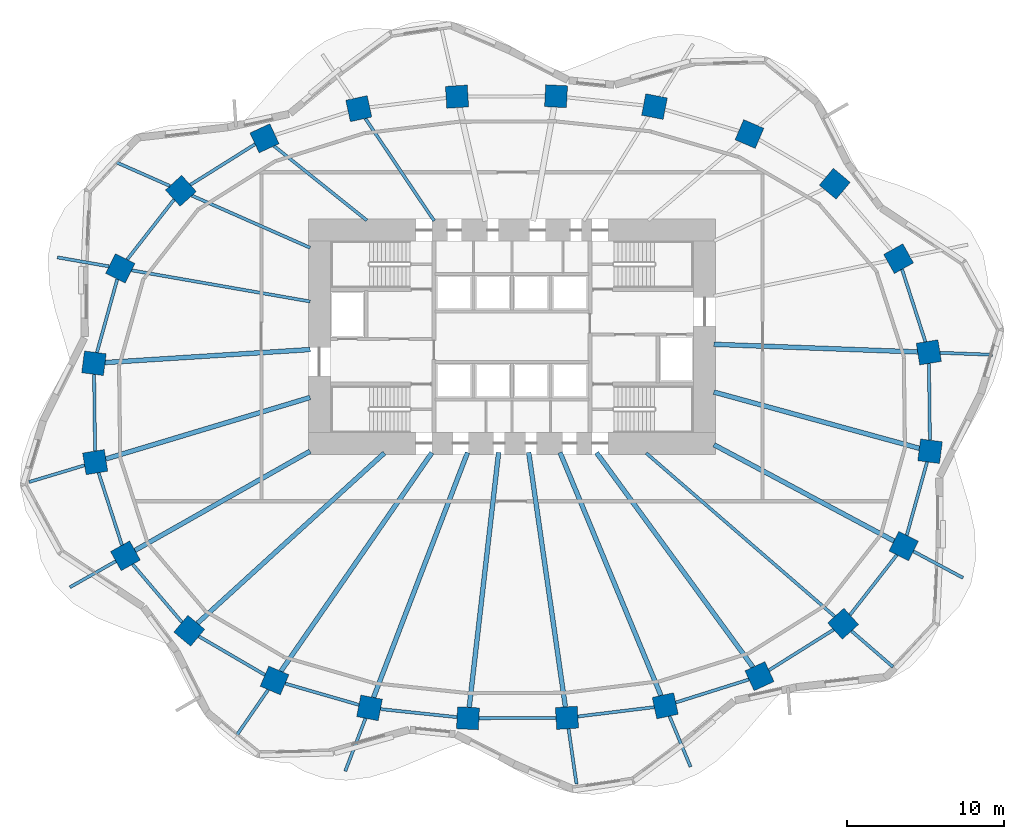
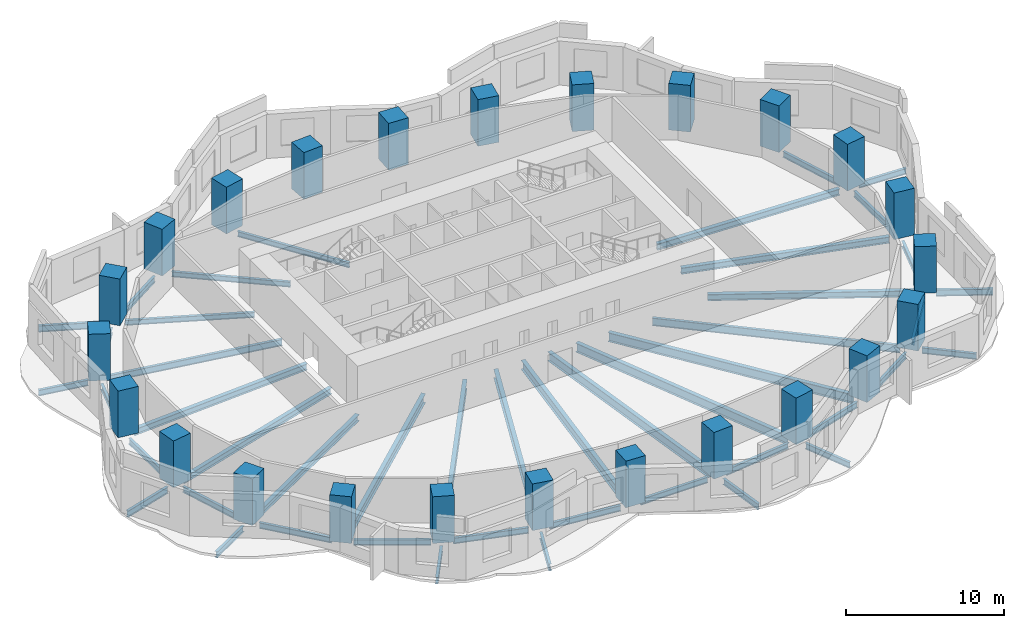
# One storey, part 1 of 8: 46 beams, 24 columns.
"""IFC4 building model written with IfcOpenShell, lengths in metres."""

from ifc_helpers import new_model, si_unit, direction, frame, origin, origin_2d, place, context, subcontext, project, spatial, rectangle, i_section, extrude, material, material_profile, profile_set, type_object, element, save


model = new_model("IFC4")

# Units and contexts
model_context = context("Model", 3, precision=1e-05, world=origin(), true_north=direction((0.0, 1.0)))
body_context = subcontext(model_context, "Body", "Model", "MODEL_VIEW")
ifc_project = project(units=[si_unit("LENGTHUNIT", "METRE"), si_unit("AREAUNIT", "SQUARE_METRE"), si_unit("VOLUMEUNIT", "CUBIC_METRE"), si_unit("PLANEANGLEUNIT", "RADIAN"), si_unit("MASSUNIT", "GRAM", prefix="KILO")], contexts=[model_context])

# Site, building, storey
site_placement = place(None, origin())
site = spatial("IfcSite", under=ifc_project, at=site_placement, CompositionType="ELEMENT")
building_placement = place(site_placement, origin())
building = spatial("IfcBuilding", under=site, at=building_placement, Name="Rubra Terraces Tower", CompositionType="ELEMENT")
storey_placement = place(building_placement, frame((0.0, 0.0, 55.5)))
storey = spatial("IfcBuildingStorey", under=building, at=storey_placement, Name="L11", CompositionType="ELEMENT", Elevation=55.5)

# Columns
ifc_material_1 = material(Name="Concrete C60", Category="concrete")
ifc_material_profile_1 = material_profile(ifc_material_1, rectangle(XDim=1.39990234375, YDim=1.39990234375, at=origin_2d()), Name="RC 1400x1400")
ifc_profile_set_1 = profile_set([ifc_material_profile_1], Name="Concrete C60")
column_type = type_object("IfcColumnType", Name="RING COLUMN RC 1400x1400 C60", PredefinedType="COLUMN", material=ifc_profile_set_1)
for number, where, z_axis, x_axis, name in (
    (1, (26.60498046875, 3.5029296875, 0.0), (0.0, 0.0, 1.0), (-0.161234051287, 0.986916197408, 0.0), "column-L11-ring-01"),
    (2, (24.676025390625, 9.48291015625, 0.0), (0.0, 0.0, 1.0), (-0.487226597714, 0.873275582208, 0.0), "column-L11-ring-02"),
    (3, (20.60009765625, 14.26611328125, 0.0), (0.0, 0.0, 1.0), (-0.767209547574, 0.641396531104, 0.0), "column-L11-ring-03"),
    (4, (15.156982421875, 17.44091796875, 0.0), (0.0, 0.0, 1.0), (-0.919293738002, 0.393572132232, 0.0), "column-L11-ring-04"),
    (5, (9.093994140625, 19.19189453125, 0.0), (0.0, 0.0, 1.0), (-0.981430410798, 0.191818530806, 0.0), "column-L11-ring-05"),
    (6, (2.81103515625, 19.85400390625, 0.0), (0.0, 0.0, 1.0), (-0.99874501614, 0.050083857035, 0.0), "column-L11-ring-06"),
    (7, (-3.509033203125, 19.823974609375, 0.0), (0.0, 0.0, 1.0), (-0.9980076013, -0.063093801177, 0.0), "column-L11-ring-07"),
    (8, (-9.780029296875, 19.05810546875, 0.0), (0.0, 0.0, 1.0), (-0.977386186482, -0.211462153764, 0.0), "column-L11-ring-08"),
    (9, (-15.799072265625, 17.1650390625, 0.0), (0.0, 0.0, 1.0), (-0.907952363445, -0.419073389413, 0.0), "column-L11-ring-09"),
    (10, (-21.135009765625, 13.81689453125, 0.0), (0.0, 0.0, 1.0), (-0.742675944539, -0.66965098477, 0.0), "column-L11-ring-10"),
    (11, (-25.0029296875, 8.865966796875, 0.0), (0.0, 0.0, 1.0), (-0.450098906028, -0.892978709036, 0.0), "column-L11-ring-11"),
    (12, (-26.68408203125, 2.80810546875, 0.0), (0.0, 0.0, 1.0), (-0.128444510405, -0.991716697322, 0.0), "column-L11-ring-12"),
    (13, (-26.60498046875, -3.5029296875, 0.0), (0.0, 0.0, 1.0), (0.161234051287, -0.986916197408, 0.0), "column-L11-ring-13"),
    (14, (-24.676025390625, -9.48291015625, 0.0), (0.0, 0.0, 1.0), (0.487226597714, -0.873275582208, 0.0), "column-L11-ring-14"),
    (15, (-20.60009765625, -14.26611328125, 0.0), (0.0, 0.0, 1.0), (0.767209547574, -0.641396531104, 0.0), "column-L11-ring-15"),
    (16, (-15.156982421875, -17.44091796875, 0.0), (0.0, 0.0, 1.0), (0.919293738002, -0.393572132232, 0.0), "column-L11-ring-16"),
    (17, (-9.093994140625, -19.19189453125, 0.0), (0.0, 0.0, 1.0), (0.981430410798, -0.191818530806, 0.0), "column-L11-ring-17"),
    (18, (-2.81103515625, -19.85400390625, 0.0), (0.0, 0.0, 1.0), (0.99874501614, -0.050083857035, 0.0), "column-L11-ring-18"),
    (19, (3.509033203125, -19.823974609375, 0.0), (0.0, 0.0, 1.0), (0.9980076013, 0.063093801177, 0.0), "column-L11-ring-19"),
    (20, (9.780029296875, -19.05810546875, 0.0), (0.0, 0.0, 1.0), (0.977386186482, 0.211462153764, 0.0), "column-L11-ring-20"),
    (21, (15.799072265625, -17.1650390625, 0.0), (0.0, 0.0, 1.0), (0.907952363445, 0.419073389413, 0.0), "column-L11-ring-21"),
    (22, (21.135009765625, -13.81689453125, 0.0), (0.0, 0.0, 1.0), (0.742675944539, 0.66965098477, 0.0), "column-L11-ring-22"),
    (23, (25.0029296875, -8.865966796875, 0.0), (0.0, 0.0, 1.0), (0.450098906028, 0.892978709036, 0.0), "column-L11-ring-23"),
    (24, (26.68408203125, -2.80810546875, 0.0), (0.0, 0.0, 1.0), (0.128444510405, 0.991716697322, 0.0), "column-L11-ring-24"),
):
    element("IfcColumn", number, at=place(storey_placement, frame(where, z_axis=z_axis, x_axis=x_axis)), inside=storey, type_object=column_type, Name=name, PredefinedType="COLUMN", context=body_context, shape_type="SweptSolid", body=[
        extrude(rectangle(XDim=1.39990234375, YDim=1.39990234375, at=origin_2d()), origin(), (0.0, 0.0, 1.0), 3.60009765625),
    ])

# Beams
ifc_material_2 = material(Name="Steel Q355B", Category="steel")
ifc_material_profile_2 = material_profile(ifc_material_2, i_section(OverallWidth=0.198974609375, OverallDepth=0.446044921875, WebThickness=0.008056640625, FlangeThickness=0.011962890625, at=origin_2d()), Name="HN 446x199x8x12")
ifc_profile_set_2 = profile_set([ifc_material_profile_2], Name="Steel Q355B")
beam_type_1 = type_object("IfcBeamType", Name="CANTILEVER BEAM HN 446x199x8x12", PredefinedType="BEAM", material=ifc_profile_set_2)
beam_1_placement = place(storey_placement, frame((27.319091796875, 3.47607421875, -0.423095703125), z_axis=(0.999296185765, -0.037511773014, 0.0), x_axis=(0.037511773014, 0.999296185765, 0.0)))
element("IfcBeam", 25, at=beam_1_placement, inside=storey, type_object=beam_type_1, Name="beam-L11-cant-01", PredefinedType="BEAM", context=body_context, shape_type="SweptSolid", body=[
    extrude(i_section(OverallWidth=0.198974609375, OverallDepth=0.446044921875, WebThickness=0.008056640625, FlangeThickness=0.011962890625, at=origin_2d()), origin(), (0.0, 0.0, 1.0), 3.3583984375),
])
beam_2_placement = place(storey_placement, frame((-25.722900390625, 8.991943359375, -0.423095703125), z_axis=(-0.985116786746, 0.171886347543, 0.0), x_axis=(-0.171886347543, -0.985116786746, 0.0)))
element("IfcBeam", 26, at=beam_2_placement, inside=storey, type_object=beam_type_1, Name="beam-L11-cant-11", PredefinedType="BEAM", context=body_context, shape_type="SweptSolid", body=[
    extrude(i_section(OverallWidth=0.198974609375, OverallDepth=0.446044921875, WebThickness=0.008056640625, FlangeThickness=0.011962890625, at=origin_2d()), origin(), (0.0, 0.0, 1.0), 3.344970703125),
])
beam_3_placement = place(storey_placement, frame((-25.284912109375, -9.827880859375, -0.423095703125), z_axis=(-0.869963288166, -0.493116494596, 0.0), x_axis=(0.493116494596, -0.869963288166, 0.0)))
element("IfcBeam", 27, at=beam_3_placement, inside=storey, type_object=beam_type_1, Name="beam-L11-cant-14", PredefinedType="BEAM", context=body_context, shape_type="SweptSolid", body=[
    extrude(i_section(OverallWidth=0.198974609375, OverallDepth=0.446044921875, WebThickness=0.008056640625, FlangeThickness=0.011962890625, at=origin_2d()), origin(), (0.0, 0.0, 1.0), 3.378662109375),
])
beam_4_placement = place(storey_placement, frame((-15.56298828125, -18.029052734375, -0.423095703125), z_axis=(-0.568398748682, -0.822753220897, 0.0), x_axis=(0.822753220897, -0.568398748682, 0.0)))
element("IfcBeam", 28, at=beam_4_placement, inside=storey, type_object=beam_type_1, Name="beam-L11-cant-16", PredefinedType="BEAM", context=body_context, shape_type="SweptSolid", body=[
    extrude(i_section(OverallWidth=0.198974609375, OverallDepth=0.446044921875, WebThickness=0.008056640625, FlangeThickness=0.011962890625, at=origin_2d()), origin(), (0.0, 0.0, 1.0), 3.5380859375),
])
beam_5_placement = place(storey_placement, frame((3.60888671875, -20.51904296875, -0.423095703125), z_axis=(0.142763269487, -0.98975686352, 0.0), x_axis=(0.98975686352, 0.142763269487, 0.0)))
element("IfcBeam", 29, at=beam_5_placement, inside=storey, type_object=beam_type_1, Name="beam-L11-cant-19", PredefinedType="BEAM", context=body_context, shape_type="SweptSolid", body=[
    extrude(i_section(OverallWidth=0.198974609375, OverallDepth=0.446044921875, WebThickness=0.008056640625, FlangeThickness=0.011962890625, at=origin_2d()), origin(), (0.0, 0.0, 1.0), 3.565673828125),
])
beam_6_placement = place(storey_placement, frame((10.052978515625, -19.715087890625, -0.423095703125), z_axis=(0.383477452427, -0.923550238742, 0.0), x_axis=(0.923550238742, 0.383477452427, 0.0)))
element("IfcBeam", 30, at=beam_6_placement, inside=storey, type_object=beam_type_1, Name="beam-L11-cant-20", PredefinedType="BEAM", context=body_context, shape_type="SweptSolid", body=[
    extrude(i_section(OverallWidth=0.198974609375, OverallDepth=0.446044921875, WebThickness=0.008056640625, FlangeThickness=0.011962890625, at=origin_2d()), origin(), (0.0, 0.0, 1.0), 3.504638671875),
])
beam_7_placement = place(storey_placement, frame((21.66796875, -14.279052734375, -0.423095703125), z_axis=(0.755677597863, -0.654943790022, 0.0), x_axis=(0.654943790022, 0.755677597863, 0.0)))
element("IfcBeam", 31, at=beam_7_placement, inside=storey, type_object=beam_type_1, Name="beam-L11-cant-22", PredefinedType="BEAM", context=body_context, shape_type="SweptSolid", body=[
    extrude(i_section(OverallWidth=0.198974609375, OverallDepth=0.446044921875, WebThickness=0.008056640625, FlangeThickness=0.011962890625, at=origin_2d()), origin(), (0.0, 0.0, 1.0), 3.507080078125),
])
ifc_material_profile_3 = material_profile(ifc_material_2, i_section(OverallWidth=0.198974609375, OverallDepth=0.49609375, WebThickness=0.009033203125, FlangeThickness=0.013916015625, at=origin_2d()), Name="HN 496x199x9x14")
ifc_profile_set_3 = profile_set([ifc_material_profile_3], Name="Steel Q355B")
beam_type_2 = type_object("IfcBeamType", Name="CANTILEVER BEAM HN 496x199x9x14", PredefinedType="BEAM", material=ifc_profile_set_3)
beam_8_placement = place(storey_placement, frame((-21.8369140625, 14.1259765625, -0.447998046875), z_axis=(-0.914957406793, 0.403550422816, 0.0), x_axis=(-0.403550422816, -0.914957406793, 0.0)))
element("IfcBeam", 32, at=beam_8_placement, inside=storey, type_object=beam_type_2, Name="beam-L11-cant-10", PredefinedType="BEAM", context=body_context, shape_type="SweptSolid", body=[
    extrude(i_section(OverallWidth=0.198974609375, OverallDepth=0.49609375, WebThickness=0.009033203125, FlangeThickness=0.013916015625, at=origin_2d()), origin(), (0.0, 0.0, 1.0), 3.949951171875),
])
beam_9_placement = place(storey_placement, frame((-27.281005859375, -3.7060546875, -0.447998046875), z_axis=(-0.957593698742, -0.28812203687, 0.0), x_axis=(0.28812203687, -0.957593698742, 0.0)))
element("IfcBeam", 33, at=beam_9_placement, inside=storey, type_object=beam_type_2, Name="beam-L11-cant-13", PredefinedType="BEAM", context=body_context, shape_type="SweptSolid", body=[
    extrude(i_section(OverallWidth=0.198974609375, OverallDepth=0.49609375, WebThickness=0.009033203125, FlangeThickness=0.013916015625, at=origin_2d()), origin(), (0.0, 0.0, 1.0), 3.702880859375),
])
beam_10_placement = place(storey_placement, frame((-9.34912109375, -19.85498046875, -0.447998046875), z_axis=(-0.358128312142, -0.933672379393, 0.0), x_axis=(0.933672379393, -0.358128312142, 0.0)))
element("IfcBeam", 34, at=beam_10_placement, inside=storey, type_object=beam_type_2, Name="beam-L11-cant-17", PredefinedType="BEAM", context=body_context, shape_type="SweptSolid", body=[
    extrude(i_section(OverallWidth=0.198974609375, OverallDepth=0.49609375, WebThickness=0.009033203125, FlangeThickness=0.013916015625, at=origin_2d()), origin(), (0.0, 0.0, 1.0), 3.61572265625),
])
beam_11_placement = place(storey_placement, frame((25.62109375, -9.196044921875, -0.447998046875), z_axis=(0.881859564895, -0.471512150219, 0.0), x_axis=(0.471512150219, 0.881859564895, 0.0)))
element("IfcBeam", 35, at=beam_11_placement, inside=storey, type_object=beam_type_2, Name="beam-L11-cant-23", PredefinedType="BEAM", context=body_context, shape_type="SweptSolid", body=[
    extrude(i_section(OverallWidth=0.198974609375, OverallDepth=0.49609375, WebThickness=0.009033203125, FlangeThickness=0.013916015625, at=origin_2d()), origin(), (0.0, 0.0, 1.0), 3.59228515625),
])
ifc_material_profile_4 = material_profile(ifc_material_2, i_section(OverallWidth=0.300048828125, OverallDepth=0.48193359375, WebThickness=0.010986328125, FlangeThickness=0.014892578125, at=origin_2d()), Name="HM 482x300x11x15")
ifc_profile_set_4 = profile_set([ifc_material_profile_4], Name="Steel Q355B")
beam_type_3 = type_object("IfcBeamType", Name="FLOOR BEAM HM 482x300x11x15", PredefinedType="BEAM", material=ifc_profile_set_4)
beam_12_placement = place(storey_placement, frame((25.89111328125, 3.530029296875, -0.44091796875), z_axis=(-0.999300088658, 0.037407657088, 0.0), x_axis=(-0.037407657088, -0.999300088658, 0.0)))
element("IfcBeam", 36, at=beam_12_placement, inside=storey, type_object=beam_type_3, Name="beam-L11-floor-01", PredefinedType="BEAM", context=body_context, shape_type="SweptSolid", body=[
    extrude(i_section(OverallWidth=0.300048828125, OverallDepth=0.48193359375, WebThickness=0.010986328125, FlangeThickness=0.014892578125, at=origin_2d()), origin(), (0.0, 0.0, 1.0), 13.020263671875),
])
beam_13_placement = place(storey_placement, frame((-25.971923828125, 2.85302734375, -0.44091796875), z_axis=(0.997996052936, 0.06327620662, 0.0), x_axis=(-0.06327620662, 0.997996052936, 0.0)))
element("IfcBeam", 37, at=beam_13_placement, inside=storey, type_object=beam_type_3, Name="beam-L11-floor-12", PredefinedType="BEAM", context=body_context, shape_type="SweptSolid", body=[
    extrude(i_section(OverallWidth=0.300048828125, OverallDepth=0.48193359375, WebThickness=0.010986328125, FlangeThickness=0.014892578125, at=origin_2d()), origin(), (0.0, 0.0, 1.0), 13.118408203125),
])
beam_14_placement = place(storey_placement, frame((-25.928955078125, -3.300048828125, -0.44091796875), z_axis=(0.957605991861, 0.288081176671, 0.0), x_axis=(-0.288081176671, 0.957605991861, 0.0)))
element("IfcBeam", 38, at=beam_14_placement, inside=storey, type_object=beam_type_3, Name="beam-L11-floor-13", PredefinedType="BEAM", context=body_context, shape_type="SweptSolid", body=[
    extrude(i_section(OverallWidth=0.300048828125, OverallDepth=0.48193359375, WebThickness=0.010986328125, FlangeThickness=0.014892578125, at=origin_2d()), origin(), (0.0, 0.0, 1.0), 13.621337890625),
])
beam_15_placement = place(storey_placement, frame((-24.06689453125, -9.137939453125, -0.44091796875), z_axis=(0.869992824144, 0.493064383157, 0.0), x_axis=(-0.493064383157, 0.869992824144, 0.0)))
element("IfcBeam", 39, at=beam_15_placement, inside=storey, type_object=beam_type_3, Name="beam-L11-floor-14", PredefinedType="BEAM", context=body_context, shape_type="SweptSolid", body=[
    extrude(i_section(OverallWidth=0.300048828125, OverallDepth=0.48193359375, WebThickness=0.010986328125, FlangeThickness=0.014892578125, at=origin_2d()), origin(), (0.0, 0.0, 1.0), 12.84033203125),
])
beam_16_placement = place(storey_placement, frame((24.385009765625, -8.535888671875, -0.44091796875), z_axis=(-0.881896613876, 0.471442851716, 0.0), x_axis=(-0.471442851716, -0.881896613876, 0.0)))
element("IfcBeam", 40, at=beam_16_placement, inside=storey, type_object=beam_type_3, Name="beam-L11-floor-23", PredefinedType="BEAM", context=body_context, shape_type="SweptSolid", body=[
    extrude(i_section(OverallWidth=0.300048828125, OverallDepth=0.48193359375, WebThickness=0.010986328125, FlangeThickness=0.014892578125, at=origin_2d()), origin(), (0.0, 0.0, 1.0), 13.02978515625),
])
beam_17_placement = place(storey_placement, frame((26.001953125, -2.62109375, -0.44091796875), z_axis=(-0.964494059772, 0.264104541167, 0.0), x_axis=(-0.264104541167, -0.964494059772, 0.0)))
element("IfcBeam", 41, at=beam_17_placement, inside=storey, type_object=beam_type_3, Name="beam-L11-floor-24", PredefinedType="BEAM", context=body_context, shape_type="SweptSolid", body=[
    extrude(i_section(OverallWidth=0.300048828125, OverallDepth=0.48193359375, WebThickness=0.010986328125, FlangeThickness=0.014892578125, at=origin_2d()), origin(), (0.0, 0.0, 1.0), 13.600830078125),
])
ifc_material_profile_5 = material_profile(ifc_material_2, i_section(OverallWidth=0.199951171875, OverallDepth=0.39990234375, WebThickness=0.008056640625, FlangeThickness=0.012939453125, at=origin_2d()), Name="HN 400x200x8x13")
ifc_profile_set_5 = profile_set([ifc_material_profile_5], Name="Steel Q355B")
beam_type_4 = type_object("IfcBeamType", Name="FLOOR BEAM HN 400x200x8x13", PredefinedType="BEAM", material=ifc_profile_set_5)
beam_18_placement = place(storey_placement, frame((-9.360107421875, 18.43310546875, -0.39990234375), z_axis=(0.557574689395, -0.830126776912, 0.0), x_axis=(0.830126776912, 0.557574689395, 0.0)))
element("IfcBeam", 42, at=beam_18_placement, inside=storey, type_object=beam_type_4, Name="beam-L11-floor-08", PredefinedType="BEAM", context=body_context, shape_type="SweptSolid", body=[
    extrude(i_section(OverallWidth=0.199951171875, OverallDepth=0.39990234375, WebThickness=0.008056640625, FlangeThickness=0.012939453125, at=origin_2d()), origin(), (0.0, 0.0, 1.0), 7.8701171875),
])
beam_19_placement = place(storey_placement, frame((-15.18896484375, 16.676025390625, -0.39990234375), z_axis=(0.780266406942, -0.625447307291, 0.0), x_axis=(0.625447307291, 0.780266406942, 0.0)))
element("IfcBeam", 43, at=beam_19_placement, inside=storey, type_object=beam_type_4, Name="beam-L11-floor-09", PredefinedType="BEAM", context=body_context, shape_type="SweptSolid", body=[
    extrude(i_section(OverallWidth=0.199951171875, OverallDepth=0.39990234375, WebThickness=0.008056640625, FlangeThickness=0.012939453125, at=origin_2d()), origin(), (0.0, 0.0, 1.0), 7.59619140625),
])
beam_20_placement = place(storey_placement, frame((-20.43310546875, 13.508056640625, -0.39990234375), z_axis=(0.914994662209, -0.4034659442, 0.0), x_axis=(0.4034659442, 0.914994662209, 0.0)))
element("IfcBeam", 44, at=beam_20_placement, inside=storey, type_object=beam_type_4, Name="beam-L11-floor-10", PredefinedType="BEAM", context=body_context, shape_type="SweptSolid", body=[
    extrude(i_section(OverallWidth=0.199951171875, OverallDepth=0.39990234375, WebThickness=0.008056640625, FlangeThickness=0.012939453125, at=origin_2d()), origin(), (0.0, 0.0, 1.0), 8.243896484375),
])
ifc_material_profile_6 = material_profile(ifc_material_2, i_section(OverallWidth=0.198974609375, OverallDepth=0.49609375, WebThickness=0.009033203125, FlangeThickness=0.013916015625, at=origin_2d()), Name="HN 496x199x9x14")
ifc_profile_set_6 = profile_set([ifc_material_profile_6], Name="Steel Q355B")
beam_type_5 = type_object("IfcBeamType", Name="FLOOR BEAM HN 496x199x9x14", PredefinedType="BEAM", material=ifc_profile_set_6)
beam_21_placement = place(storey_placement, frame((-24.282958984375, 8.739990234375, -0.447998046875), z_axis=(0.985091834527, -0.172029292701, 0.0), x_axis=(0.172029292701, 0.985091834527, 0.0)))
element("IfcBeam", 45, at=beam_21_placement, inside=storey, type_object=beam_type_5, Name="beam-L11-floor-11", PredefinedType="BEAM", context=body_context, shape_type="SweptSolid", body=[
    extrude(i_section(OverallWidth=0.198974609375, OverallDepth=0.49609375, WebThickness=0.009033203125, FlangeThickness=0.013916015625, at=origin_2d()), origin(), (0.0, 0.0, 1.0), 11.573486328125),
])
ifc_material_profile_7 = material_profile(ifc_material_2, i_section(OverallWidth=0.198974609375, OverallDepth=0.595947265625, WebThickness=0.010009765625, FlangeThickness=0.014892578125, at=origin_2d()), Name="HN 596x199x10x15")
ifc_profile_set_7 = profile_set([ifc_material_profile_7], Name="Steel Q355B")
beam_type_6 = type_object("IfcBeamType", Name="FLOOR BEAM HN 596x199x10x15", PredefinedType="BEAM", material=ifc_profile_set_7)
beam_22_placement = place(storey_placement, frame((20.60205078125, -13.35498046875, -0.498046875), z_axis=(-0.755682003913, 0.654938706263, 0.0), x_axis=(-0.654938706263, -0.755682003913, 0.0)))
element("IfcBeam", 46, at=beam_22_placement, inside=storey, type_object=beam_type_6, Name="beam-L11-floor-22", PredefinedType="BEAM", context=body_context, shape_type="SweptSolid", body=[
    extrude(i_section(OverallWidth=0.198974609375, OverallDepth=0.595947265625, WebThickness=0.010009765625, FlangeThickness=0.014892578125, at=origin_2d()), origin(), (0.0, 0.0, 1.0), 15.931396484375),
])
ifc_material_profile_8 = material_profile(ifc_material_2, i_section(OverallWidth=0.300048828125, OverallDepth=0.699951171875, WebThickness=0.012939453125, FlangeThickness=0.02392578125, at=origin_2d()), Name="HN 700x300x13x24")
ifc_profile_set_8 = profile_set([ifc_material_profile_8], Name="Steel Q355B")
beam_type_7 = type_object("IfcBeamType", Name="FLOOR BEAM HN 700x300x13x24", PredefinedType="BEAM", material=ifc_profile_set_8)
beam_23_placement = place(storey_placement, frame((-20.077880859375, -13.7900390625, -0.550048828125), z_axis=(0.739256734846, 0.673423700195, 0.0), x_axis=(-0.673423700195, 0.739256734846, 0.0)))
element("IfcBeam", 47, at=beam_23_placement, inside=storey, type_object=beam_type_7, Name="beam-L11-floor-15", PredefinedType="BEAM", context=body_context, shape_type="SweptSolid", body=[
    extrude(i_section(OverallWidth=0.300048828125, OverallDepth=0.699951171875, WebThickness=0.012939453125, FlangeThickness=0.02392578125, at=origin_2d()), origin(), (0.0, 0.0, 1.0), 16.14306640625),
])
beam_24_placement = place(storey_placement, frame((-14.7509765625, -16.85302734375, -0.550048828125), z_axis=(0.568362941886, 0.822777956858, 0.0), x_axis=(-0.822777956858, 0.568362941886, 0.0)))
element("IfcBeam", 48, at=beam_24_placement, inside=storey, type_object=beam_type_7, Name="beam-L11-floor-16", PredefinedType="BEAM", context=body_context, shape_type="SweptSolid", body=[
    extrude(i_section(OverallWidth=0.300048828125, OverallDepth=0.699951171875, WebThickness=0.012939453125, FlangeThickness=0.02392578125, at=origin_2d()), origin(), (0.0, 0.0, 1.0), 16.957275390625),
])
beam_25_placement = place(storey_placement, frame((-8.839111328125, -18.529052734375, -0.550048828125), z_axis=(0.358321803184, 0.933598139117, 0.0), x_axis=(-0.933598139117, 0.358321803184, 0.0)))
element("IfcBeam", 49, at=beam_25_placement, inside=storey, type_object=beam_type_7, Name="beam-L11-floor-17", PredefinedType="BEAM", context=body_context, shape_type="SweptSolid", body=[
    extrude(i_section(OverallWidth=0.300048828125, OverallDepth=0.699951171875, WebThickness=0.012939453125, FlangeThickness=0.02392578125, at=origin_2d()), origin(), (0.0, 0.0, 1.0), 16.753662109375),
])
beam_26_placement = place(storey_placement, frame((-2.73095703125, -19.156982421875, -0.550048828125), z_axis=(0.114679535872, 0.993402538779, 0.0), x_axis=(-0.993402538779, 0.114679535872, 0.0)))
element("IfcBeam", 50, at=beam_26_placement, inside=storey, type_object=beam_type_7, Name="beam-L11-floor-18", PredefinedType="BEAM", context=body_context, shape_type="SweptSolid", body=[
    extrude(i_section(OverallWidth=0.300048828125, OverallDepth=0.699951171875, WebThickness=0.012939453125, FlangeThickness=0.02392578125, at=origin_2d()), origin(), (0.0, 0.0, 1.0), 16.384033203125),
])
beam_27_placement = place(storey_placement, frame((3.408935546875, -19.12890625, -0.550048828125), z_axis=(-0.142787075711, 0.9897534294, 0.0), x_axis=(-0.9897534294, -0.142787075711, 0.0)))
element("IfcBeam", 51, at=beam_27_placement, inside=storey, type_object=beam_type_7, Name="beam-L11-floor-19", PredefinedType="BEAM", context=body_context, shape_type="SweptSolid", body=[
    extrude(i_section(OverallWidth=0.300048828125, OverallDepth=0.699951171875, WebThickness=0.012939453125, FlangeThickness=0.02392578125, at=origin_2d()), origin(), (0.0, 0.0, 1.0), 16.416015625),
])
beam_28_placement = place(storey_placement, frame((9.507080078125, -18.40087890625, -0.550048828125), z_axis=(-0.383379543301, 0.923590886582, 0.0), x_axis=(-0.923590886582, -0.383379543301, 0.0)))
element("IfcBeam", 52, at=beam_28_placement, inside=storey, type_object=beam_type_7, Name="beam-L11-floor-20", PredefinedType="BEAM", context=body_context, shape_type="SweptSolid", body=[
    extrude(i_section(OverallWidth=0.300048828125, OverallDepth=0.699951171875, WebThickness=0.012939453125, FlangeThickness=0.02392578125, at=origin_2d()), origin(), (0.0, 0.0, 1.0), 16.795166015625),
])
beam_29_placement = place(storey_placement, frame((15.3779296875, -16.587890625, -0.550048828125), z_axis=(-0.58919117553, 0.807993662523, 0.0), x_axis=(-0.807993662523, -0.58919117553, 0.0)))
element("IfcBeam", 53, at=beam_29_placement, inside=storey, type_object=beam_type_7, Name="beam-L11-floor-21", PredefinedType="BEAM", context=body_context, shape_type="SweptSolid", body=[
    extrude(i_section(OverallWidth=0.300048828125, OverallDepth=0.699951171875, WebThickness=0.012939453125, FlangeThickness=0.02392578125, at=origin_2d()), origin(), (0.0, 0.0, 1.0), 16.936767578125),
])
ifc_material_profile_9 = material_profile(ifc_material_2, i_section(OverallWidth=0.198974609375, OverallDepth=0.446044921875, WebThickness=0.008056640625, FlangeThickness=0.011962890625, at=origin_2d()), Name="HN 446x199x8x12")
ifc_profile_set_9 = profile_set([ifc_material_profile_9], Name="Steel Q355B")
beam_type_8 = type_object("IfcBeamType", Name="SPANDREL BEAM HN 446x199x8x12", PredefinedType="SPANDREL", material=ifc_profile_set_9)
beam_30_placement = place(storey_placement, frame((26.387939453125, 4.177001953125, -0.423095703125), z_axis=(-0.30706880261, 0.951687317591, 0.0), x_axis=(-0.951687317591, -0.30706880261, 0.0)))
element("IfcBeam", 54, at=beam_30_placement, inside=storey, type_object=beam_type_8, Name="beam-L11-spandrel-01", PredefinedType="SPANDREL", context=body_context, shape_type="SweptSolid", body=[
    extrude(i_section(OverallWidth=0.198974609375, OverallDepth=0.446044921875, WebThickness=0.008056640625, FlangeThickness=0.011962890625, at=origin_2d()), origin(), (0.0, 0.0, 1.0), 4.86181640625),
])
beam_31_placement = place(storey_placement, frame((-16.39697265625, 16.7900390625, -0.423095703125), z_axis=(-0.847078460197, -0.531467856291, 0.0), x_axis=(0.531467856291, -0.847078460197, 0.0)))
element("IfcBeam", 55, at=beam_31_placement, inside=storey, type_object=beam_type_8, Name="beam-L11-spandrel-09", PredefinedType="SPANDREL", context=body_context, shape_type="SweptSolid", body=[
    extrude(i_section(OverallWidth=0.198974609375, OverallDepth=0.446044921875, WebThickness=0.008056640625, FlangeThickness=0.011962890625, at=origin_2d()), origin(), (0.0, 0.0, 1.0), 4.882568359375),
])
beam_32_placement = place(storey_placement, frame((-21.572998046875, 13.257080078125, -0.423095703125), z_axis=(-0.615577734286, -0.788076172112, 0.0), x_axis=(0.788076172112, -0.615577734286, 0.0)))
element("IfcBeam", 56, at=beam_32_placement, inside=storey, type_object=beam_type_8, Name="beam-L11-spandrel-10", PredefinedType="SPANDREL", context=body_context, shape_type="SweptSolid", body=[
    extrude(i_section(OverallWidth=0.198974609375, OverallDepth=0.446044921875, WebThickness=0.008056640625, FlangeThickness=0.011962890625, at=origin_2d()), origin(), (0.0, 0.0, 1.0), 4.85888671875),
])
beam_33_placement = place(storey_placement, frame((-25.194091796875, 8.177978515625, -0.423095703125), z_axis=(-0.267364386726, -0.96359549849, 0.0), x_axis=(0.96359549849, -0.267364386726, 0.0)))
element("IfcBeam", 57, at=beam_33_placement, inside=storey, type_object=beam_type_8, Name="beam-L11-spandrel-11", PredefinedType="SPANDREL", context=body_context, shape_type="SweptSolid", body=[
    extrude(i_section(OverallWidth=0.198974609375, OverallDepth=0.446044921875, WebThickness=0.008056640625, FlangeThickness=0.011962890625, at=origin_2d()), origin(), (0.0, 0.0, 1.0), 4.8662109375),
])
beam_34_placement = place(storey_placement, frame((-26.675048828125, 2.10107421875, -0.423095703125), z_axis=(0.012465372298, -0.999922304228, 0.0), x_axis=(0.999922304228, 0.012465372298, 0.0)))
element("IfcBeam", 58, at=beam_34_placement, inside=storey, type_object=beam_type_8, Name="beam-L11-spandrel-12", PredefinedType="SPANDREL", context=body_context, shape_type="SweptSolid", body=[
    extrude(i_section(OverallWidth=0.198974609375, OverallDepth=0.446044921875, WebThickness=0.008056640625, FlangeThickness=0.011962890625, at=origin_2d()), origin(), (0.0, 0.0, 1.0), 4.896484375),
])
beam_35_placement = place(storey_placement, frame((-26.387939453125, -4.177001953125, -0.423095703125), z_axis=(0.30706880261, -0.951687317591, 0.0), x_axis=(0.951687317591, 0.30706880261, 0.0)))
element("IfcBeam", 59, at=beam_35_placement, inside=storey, type_object=beam_type_8, Name="beam-L11-spandrel-13", PredefinedType="SPANDREL", context=body_context, shape_type="SweptSolid", body=[
    extrude(i_section(OverallWidth=0.198974609375, OverallDepth=0.446044921875, WebThickness=0.008056640625, FlangeThickness=0.011962890625, at=origin_2d()), origin(), (0.0, 0.0, 1.0), 4.86181640625),
])
beam_36_placement = place(storey_placement, frame((-24.212890625, -10.02587890625, -0.423095703125), z_axis=(0.648447050824, -0.761259760054, 0.0), x_axis=(0.761259760054, 0.648447050824, 0.0)))
element("IfcBeam", 60, at=beam_36_placement, inside=storey, type_object=beam_type_8, Name="beam-L11-spandrel-14", PredefinedType="SPANDREL", context=body_context, shape_type="SweptSolid", body=[
    extrude(i_section(OverallWidth=0.198974609375, OverallDepth=0.446044921875, WebThickness=0.008056640625, FlangeThickness=0.011962890625, at=origin_2d()), origin(), (0.0, 0.0, 1.0), 4.860595703125),
])
beam_37_placement = place(storey_placement, frame((-19.987060546875, -14.6240234375, -0.423095703125), z_axis=(0.863806081452, -0.503824427402, 0.0), x_axis=(0.503824427402, 0.863806081452, 0.0)))
element("IfcBeam", 61, at=beam_37_placement, inside=storey, type_object=beam_type_8, Name="beam-L11-spandrel-15", PredefinedType="SPANDREL", context=body_context, shape_type="SweptSolid", body=[
    extrude(i_section(OverallWidth=0.198974609375, OverallDepth=0.446044921875, WebThickness=0.008056640625, FlangeThickness=0.011962890625, at=origin_2d()), origin(), (0.0, 0.0, 1.0), 4.886474609375),
])
beam_38_placement = place(storey_placement, frame((-14.47900390625, -17.636962890625, -0.423095703125), z_axis=(0.960743980202, -0.277436487337, 0.0), x_axis=(0.277436487337, 0.960743980202, 0.0)))
element("IfcBeam", 62, at=beam_38_placement, inside=storey, type_object=beam_type_8, Name="beam-L11-spandrel-16", PredefinedType="SPANDREL", context=body_context, shape_type="SweptSolid", body=[
    extrude(i_section(OverallWidth=0.198974609375, OverallDepth=0.446044921875, WebThickness=0.008056640625, FlangeThickness=0.011962890625, at=origin_2d()), origin(), (0.0, 0.0, 1.0), 4.90234375),
])
beam_39_placement = place(storey_placement, frame((-8.39501953125, -19.26611328125, -0.423095703125), z_axis=(0.994495375694, -0.104780473964, 0.0), x_axis=(0.104780473964, 0.994495375694, 0.0)))
element("IfcBeam", 63, at=beam_39_placement, inside=storey, type_object=beam_type_8, Name="beam-L11-spandrel-17", PredefinedType="SPANDREL", context=body_context, shape_type="SweptSolid", body=[
    extrude(i_section(OverallWidth=0.198974609375, OverallDepth=0.446044921875, WebThickness=0.008056640625, FlangeThickness=0.011962890625, at=origin_2d()), origin(), (0.0, 0.0, 1.0), 4.9140625),
])
beam_40_placement = place(storey_placement, frame((-2.110107421875, -19.85107421875, -0.423095703125), z_axis=(0.999987924698, 0.004914311469, 0.0), x_axis=(-0.004914311469, 0.999987924698, 0.0)))
element("IfcBeam", 64, at=beam_40_placement, inside=storey, type_object=beam_type_8, Name="beam-L11-spandrel-18", PredefinedType="SPANDREL", context=body_context, shape_type="SweptSolid", body=[
    extrude(i_section(OverallWidth=0.198974609375, OverallDepth=0.446044921875, WebThickness=0.008056640625, FlangeThickness=0.011962890625, at=origin_2d()), origin(), (0.0, 0.0, 1.0), 4.918212890625),
])
beam_41_placement = place(storey_placement, frame((4.205078125, -19.739013671875, -0.423095703125), z_axis=(0.992616576014, 0.12129440639, 0.0), x_axis=(-0.12129440639, 0.992616576014, 0.0)))
element("IfcBeam", 65, at=beam_41_placement, inside=storey, type_object=beam_type_8, Name="beam-L11-spandrel-19", PredefinedType="SPANDREL", context=body_context, shape_type="SweptSolid", body=[
    extrude(i_section(OverallWidth=0.198974609375, OverallDepth=0.446044921875, WebThickness=0.008056640625, FlangeThickness=0.011962890625, at=origin_2d()), origin(), (0.0, 0.0, 1.0), 4.913330078125),
])
beam_42_placement = place(storey_placement, frame((10.450927734375, -18.846923828125, -0.423095703125), z_axis=(0.953954624663, 0.299950952796, 0.0), x_axis=(-0.299950952796, 0.953954624663, 0.0)))
element("IfcBeam", 66, at=beam_42_placement, inside=storey, type_object=beam_type_8, Name="beam-L11-spandrel-20", PredefinedType="SPANDREL", context=body_context, shape_type="SweptSolid", body=[
    extrude(i_section(OverallWidth=0.198974609375, OverallDepth=0.446044921875, WebThickness=0.008056640625, FlangeThickness=0.011962890625, at=origin_2d()), origin(), (0.0, 0.0, 1.0), 4.900634765625),
])
beam_43_placement = place(storey_placement, frame((16.39697265625, -16.7900390625, -0.423095703125), z_axis=(0.847078460197, 0.531467856291, 0.0), x_axis=(-0.531467856291, 0.847078460197, 0.0)))
element("IfcBeam", 67, at=beam_43_placement, inside=storey, type_object=beam_type_8, Name="beam-L11-spandrel-21", PredefinedType="SPANDREL", context=body_context, shape_type="SweptSolid", body=[
    extrude(i_section(OverallWidth=0.198974609375, OverallDepth=0.446044921875, WebThickness=0.008056640625, FlangeThickness=0.011962890625, at=origin_2d()), origin(), (0.0, 0.0, 1.0), 4.882568359375),
])
beam_44_placement = place(storey_placement, frame((21.572998046875, -13.257080078125, -0.423095703125), z_axis=(0.615577734286, 0.788076172112, 0.0), x_axis=(-0.788076172112, 0.615577734286, 0.0)))
element("IfcBeam", 68, at=beam_44_placement, inside=storey, type_object=beam_type_8, Name="beam-L11-spandrel-22", PredefinedType="SPANDREL", context=body_context, shape_type="SweptSolid", body=[
    extrude(i_section(OverallWidth=0.198974609375, OverallDepth=0.446044921875, WebThickness=0.008056640625, FlangeThickness=0.011962890625, at=origin_2d()), origin(), (0.0, 0.0, 1.0), 4.85888671875),
])
beam_45_placement = place(storey_placement, frame((25.194091796875, -8.177978515625, -0.423095703125), z_axis=(0.267364386726, 0.96359549849, 0.0), x_axis=(-0.96359549849, 0.267364386726, 0.0)))
element("IfcBeam", 69, at=beam_45_placement, inside=storey, type_object=beam_type_8, Name="beam-L11-spandrel-23", PredefinedType="SPANDREL", context=body_context, shape_type="SweptSolid", body=[
    extrude(i_section(OverallWidth=0.198974609375, OverallDepth=0.446044921875, WebThickness=0.008056640625, FlangeThickness=0.011962890625, at=origin_2d()), origin(), (0.0, 0.0, 1.0), 4.8662109375),
])
beam_46_placement = place(storey_placement, frame((26.675048828125, -2.10107421875, -0.423095703125), z_axis=(-0.012465372298, 0.999922304228, 0.0), x_axis=(-0.999922304228, -0.012465372298, 0.0)))
element("IfcBeam", 70, at=beam_46_placement, inside=storey, type_object=beam_type_8, Name="beam-L11-spandrel-24", PredefinedType="SPANDREL", context=body_context, shape_type="SweptSolid", body=[
    extrude(i_section(OverallWidth=0.198974609375, OverallDepth=0.446044921875, WebThickness=0.008056640625, FlangeThickness=0.011962890625, at=origin_2d()), origin(), (0.0, 0.0, 1.0), 4.896484375),
])

save(model, "model.ifc")
